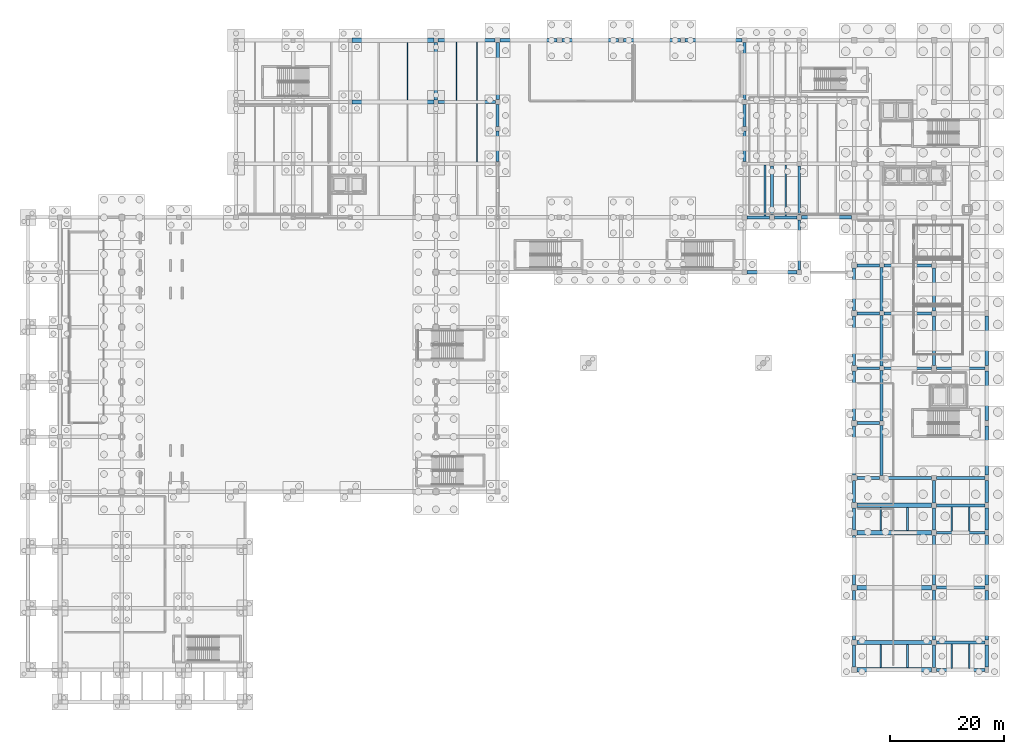
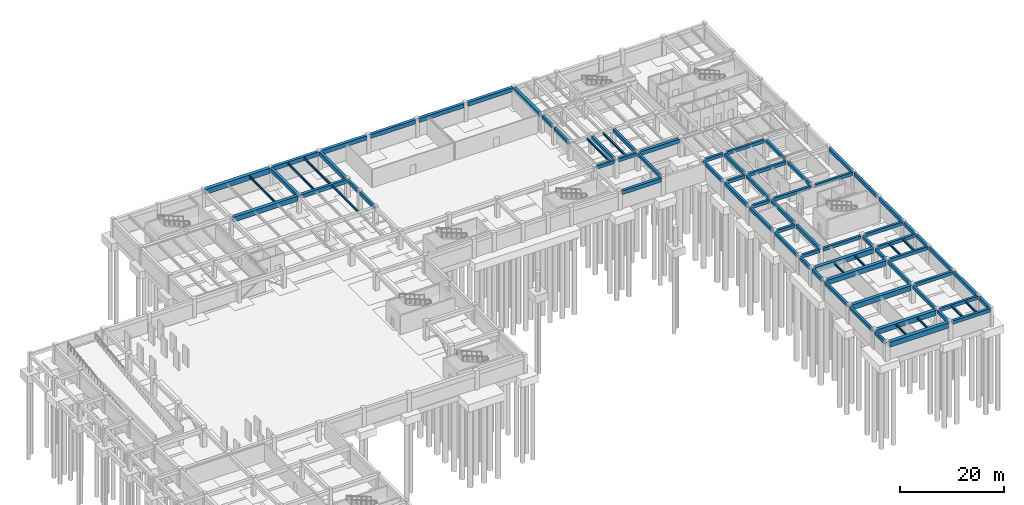
# One storey, part 10 of 33: 85 beams.
"""IFC4 building model written with IfcOpenShell, lengths in metres."""

from ifc_helpers import new_model, si_unit, direction, frame, origin, origin_2d, place, context, subcontext, project, spatial, rectangle, i_section, extrude, material, material_profile, profile_set, type_object, element, save


model = new_model("IFC4")

# Units and contexts
model_context = context("Model", 3, precision=1e-05, world=origin(), true_north=direction((0.0, 1.0)))
body_context = subcontext(model_context, "Body", "Model", "MODEL_VIEW")
ifc_project = project(units=[si_unit("LENGTHUNIT", "METRE"), si_unit("AREAUNIT", "SQUARE_METRE"), si_unit("VOLUMEUNIT", "CUBIC_METRE"), si_unit("PLANEANGLEUNIT", "RADIAN"), si_unit("MASSUNIT", "GRAM", prefix="KILO")], contexts=[model_context])

# Site, building, storey
site_placement = place(None, origin())
site = spatial("IfcSite", under=ifc_project, at=site_placement, CompositionType="ELEMENT")
building_placement = place(site_placement, origin())
building = spatial("IfcBuilding", under=site, at=building_placement, Name="Veldera Park Congress Hotel", CompositionType="ELEMENT")
storey_placement = place(building_placement, frame((0.0, 0.0, -4.5)))
storey = spatial("IfcBuildingStorey", under=building, at=storey_placement, Name="B1", CompositionType="ELEMENT", Elevation=-4.5)

# Beams
ifc_material_1 = material(Name="Concrete f'c 40 MPa (5,800 psi)", Category="concrete")
ifc_material_profile_1 = material_profile(ifc_material_1, rectangle(XDim=0.75, YDim=1.14990234375, at=origin_2d()), Name="RC 750x1150")
ifc_profile_set_1 = profile_set([ifc_material_profile_1], Name="Concrete f'c 40 MPa (5,800 psi)")
beam_type_1 = type_object("IfcBeamType", Name="BM-RC1150", PredefinedType="BEAM", material=ifc_profile_set_1)
for number, where, z_axis, x_axis, name in (
    (1, (61.27490234375, -47.39990234375, 3.625), (1.0, 0.0, 0.0), (0.0, 1.0, 0.0), "B1 Girder BM-RC1150 10"),
    (2, (61.27490234375, -37.800048828125, 3.625), (1.0, 0.0, 0.0), (0.0, 1.0, 0.0), "B1 Girder BM-RC1150 16"),
    (3, (61.27490234375, -28.199951171875, 3.625), (1.0, 0.0, 0.0), (0.0, 1.0, 0.0), "B1 Girder BM-RC1150 22"),
    (4, (61.27490234375, -23.39990234375, 3.625), (1.0, 0.0, 0.0), (0.0, 1.0, 0.0), "B1 Girder BM-RC1150 24"),
):
    element("IfcBeam", number, at=place(storey_placement, frame(where, z_axis=z_axis, x_axis=x_axis)), inside=storey, type_object=beam_type_1, Name=name, PredefinedType="BEAM", context=body_context, shape_type="SweptSolid", body=[
        extrude(rectangle(XDim=0.75, YDim=1.14990234375, at=origin_2d()), origin(), (0.0, 0.0, 1.0), 13.0751953125),
    ])
beam_1_placement = place(storey_placement, frame((-27.074951171875, 47.199951171875, 3.625), z_axis=(1.0, 0.0, 0.0), x_axis=(0.0, 1.0, 0.0)))
element("IfcBeam", 5, at=beam_1_placement, inside=storey, type_object=beam_type_1, Name="B1 Girder BM-RC1150 92", PredefinedType="BEAM", context=body_context, shape_type="SweptSolid", body=[
    extrude(rectangle(XDim=0.75, YDim=1.14990234375, at=origin_2d()), origin(), (0.0, 0.0, 1.0), 14.324951171875),
])
ifc_material_profile_2 = material_profile(ifc_material_1, rectangle(XDim=0.800048828125, YDim=1.199951171875, at=origin_2d()), Name="RC 800x1200")
ifc_profile_set_2 = profile_set([ifc_material_profile_2], Name="Concrete f'c 40 MPa (5,800 psi)")
beam_type_2 = type_object("IfcBeamType", Name="BM-RC1150E", PredefinedType="BEAM", material=ifc_profile_set_2)
beam_2_placement = place(storey_placement, frame((61.27490234375, -52.199951171875, 3.60009765625), z_axis=(1.0, 0.0, 0.0), x_axis=(0.0, 1.0, 0.0)))
element("IfcBeam", 6, at=beam_2_placement, inside=storey, type_object=beam_type_2, Name="B1 Girder BM-RC1150E 8", PredefinedType="BEAM", context=body_context, shape_type="SweptSolid", body=[
    extrude(rectangle(XDim=0.800048828125, YDim=1.199951171875, at=origin_2d()), origin(), (0.0, 0.0, 1.0), 13.0751953125),
])
beam_3_placement = place(storey_placement, frame((-27.050048828125, 58.0, 3.60009765625), z_axis=(1.0, 0.0, 0.0), x_axis=(0.0, 1.0, 0.0)))
element("IfcBeam", 7, at=beam_3_placement, inside=storey, type_object=beam_type_2, Name="B1 Girder BM-RC1150E 100", PredefinedType="BEAM", context=body_context, shape_type="SweptSolid", body=[
    extrude(rectangle(XDim=0.800048828125, YDim=1.199951171875, at=origin_2d()), origin(), (0.0, 0.0, 1.0), 14.300048828125),
])
ifc_material_profile_3 = material_profile(ifc_material_1, rectangle(XDim=0.5, YDim=0.75, at=origin_2d()), Name="RC 500x750")
ifc_profile_set_3 = profile_set([ifc_material_profile_3], Name="Concrete f'c 40 MPa (5,800 psi)")
beam_type_3 = type_object("IfcBeamType", Name="BM-RC750", PredefinedType="BEAM", material=ifc_profile_set_3)
for number, where, z_axis, x_axis, name in (
    (8, (75.25, -47.39990234375, 3.824951171875), (1.0, 0.0, 0.0), (0.0, 1.0, 0.0), "B1 Girder BM-RC750 11"),
    (9, (75.25, -37.800048828125, 3.824951171875), (1.0, 0.0, 0.0), (0.0, 1.0, 0.0), "B1 Girder BM-RC750 17"),
    (10, (75.25, -28.199951171875, 3.824951171875), (1.0, 0.0, 0.0), (0.0, 1.0, 0.0), "B1 Girder BM-RC750 23"),
    (11, (75.25, -23.39990234375, 3.824951171875), (1.0, 0.0, 0.0), (0.0, 1.0, 0.0), "B1 Girder BM-RC750 25"),
):
    element("IfcBeam", number, at=place(storey_placement, frame(where, z_axis=z_axis, x_axis=x_axis)), inside=storey, type_object=beam_type_3, Name=name, PredefinedType="BEAM", context=body_context, shape_type="SweptSolid", body=[
        extrude(rectangle(XDim=0.5, YDim=0.75, at=origin_2d()), origin(), (0.0, 0.0, 1.0), 8.425048828125),
    ])
beam_4_placement = place(storey_placement, frame((61.27490234375, -18.60009765625, 3.824951171875), z_axis=(1.0, 0.0, 0.0), x_axis=(0.0, 1.0, 0.0)))
element("IfcBeam", 12, at=beam_4_placement, inside=storey, type_object=beam_type_3, Name="B1 Girder BM-RC750 34", PredefinedType="BEAM", context=body_context, shape_type="SweptSolid", body=[
    extrude(rectangle(XDim=0.5, YDim=0.75, at=origin_2d()), origin(), (0.0, 0.0, 1.0), 3.925048828125),
])
beam_5_placement = place(storey_placement, frame((66.0, -18.60009765625, 3.824951171875), z_axis=(1.0, 0.0, 0.0), x_axis=(0.0, 1.0, 0.0)))
element("IfcBeam", 13, at=beam_5_placement, inside=storey, type_object=beam_type_3, Name="B1 Girder BM-RC750 35", PredefinedType="BEAM", context=body_context, shape_type="SweptSolid", body=[
    extrude(rectangle(XDim=0.5, YDim=0.75, at=origin_2d()), origin(), (0.0, 0.0, 1.0), 8.35009765625),
])
beam_6_placement = place(storey_placement, frame((75.25, -18.60009765625, 3.824951171875), z_axis=(1.0, 0.0, 0.0), x_axis=(0.0, 1.0, 0.0)))
element("IfcBeam", 14, at=beam_6_placement, inside=storey, type_object=beam_type_3, Name="B1 Girder BM-RC750 36", PredefinedType="BEAM", context=body_context, shape_type="SweptSolid", body=[
    extrude(rectangle(XDim=0.5, YDim=0.75, at=origin_2d()), origin(), (0.0, 0.0, 1.0), 8.425048828125),
])
for number, where, z_axis, x_axis, name in (
    (15, (61.27490234375, -9.0, 3.824951171875), (1.0, 0.0, 0.0), (0.0, 1.0, 0.0), "B1 Girder BM-RC750 40"),
    (16, (61.27490234375, 0.60009765625, 3.824951171875), (1.0, 0.0, 0.0), (0.0, 1.0, 0.0), "B1 Girder BM-RC750 43"),
):
    element("IfcBeam", number, at=place(storey_placement, frame(where, z_axis=z_axis, x_axis=x_axis)), inside=storey, type_object=beam_type_3, Name=name, PredefinedType="BEAM", context=body_context, shape_type="SweptSolid", body=[
        extrude(rectangle(XDim=0.5, YDim=0.75, at=origin_2d()), origin(), (0.0, 0.0, 1.0), 3.925048828125),
    ])
beam_7_placement = place(storey_placement, frame((66.0, 0.60009765625, 3.824951171875), z_axis=(1.0, 0.0, 0.0), x_axis=(0.0, 1.0, 0.0)))
element("IfcBeam", 17, at=beam_7_placement, inside=storey, type_object=beam_type_3, Name="B1 Girder BM-RC750 44", PredefinedType="BEAM", context=body_context, shape_type="SweptSolid", body=[
    extrude(rectangle(XDim=0.5, YDim=0.75, at=origin_2d()), origin(), (0.0, 0.0, 1.0), 8.35009765625),
])
beam_8_placement = place(storey_placement, frame((75.25, 0.60009765625, 3.824951171875), z_axis=(1.0, 0.0, 0.0), x_axis=(0.0, 1.0, 0.0)))
element("IfcBeam", 18, at=beam_8_placement, inside=storey, type_object=beam_type_3, Name="B1 Girder BM-RC750 45", PredefinedType="BEAM", context=body_context, shape_type="SweptSolid", body=[
    extrude(rectangle(XDim=0.5, YDim=0.75, at=origin_2d()), origin(), (0.0, 0.0, 1.0), 8.425048828125),
])
beam_9_placement = place(storey_placement, frame((61.27490234375, 10.199951171875, 3.824951171875), z_axis=(1.0, 0.0, 0.0), x_axis=(0.0, 1.0, 0.0)))
element("IfcBeam", 19, at=beam_9_placement, inside=storey, type_object=beam_type_3, Name="B1 Girder BM-RC750 48", PredefinedType="BEAM", context=body_context, shape_type="SweptSolid", body=[
    extrude(rectangle(XDim=0.5, YDim=0.75, at=origin_2d()), origin(), (0.0, 0.0, 1.0), 3.925048828125),
])
beam_10_placement = place(storey_placement, frame((66.0, 10.199951171875, 3.824951171875), z_axis=(1.0, 0.0, 0.0), x_axis=(0.0, 1.0, 0.0)))
element("IfcBeam", 20, at=beam_10_placement, inside=storey, type_object=beam_type_3, Name="B1 Girder BM-RC750 49", PredefinedType="BEAM", context=body_context, shape_type="SweptSolid", body=[
    extrude(rectangle(XDim=0.5, YDim=0.75, at=origin_2d()), origin(), (0.0, 0.0, 1.0), 8.35009765625),
])
beam_11_placement = place(storey_placement, frame((61.27490234375, 18.60009765625, 3.824951171875), z_axis=(1.0, 0.0, 0.0), x_axis=(0.0, 1.0, 0.0)))
element("IfcBeam", 21, at=beam_11_placement, inside=storey, type_object=beam_type_3, Name="B1 Girder BM-RC750 60", PredefinedType="BEAM", context=body_context, shape_type="SweptSolid", body=[
    extrude(rectangle(XDim=0.5, YDim=0.75, at=origin_2d()), origin(), (0.0, 0.0, 1.0), 3.925048828125),
])
beam_12_placement = place(storey_placement, frame((66.0, 18.60009765625, 3.824951171875), z_axis=(1.0, 0.0, 0.0), x_axis=(0.0, 1.0, 0.0)))
element("IfcBeam", 22, at=beam_12_placement, inside=storey, type_object=beam_type_3, Name="B1 Girder BM-RC750 61", PredefinedType="BEAM", context=body_context, shape_type="SweptSolid", body=[
    extrude(rectangle(XDim=0.5, YDim=0.75, at=origin_2d()), origin(), (0.0, 0.0, 1.0), 8.35009765625),
])
beam_13_placement = place(storey_placement, frame((42.02490234375, 27.0, 3.824951171875), z_axis=(1.0, 0.0, 0.0), x_axis=(0.0, 1.0, 0.0)))
element("IfcBeam", 23, at=beam_13_placement, inside=storey, type_object=beam_type_3, Name="B1 Girder BM-RC750 74", PredefinedType="BEAM", context=body_context, shape_type="SweptSolid", body=[
    extrude(rectangle(XDim=0.5, YDim=0.75, at=origin_2d()), origin(), (0.0, 0.0, 1.0), 3.9501953125),
])
beam_14_placement = place(storey_placement, frame((46.824951171875, 27.0, 3.824951171875), z_axis=(1.0, 0.0, 0.0), x_axis=(0.0, 1.0, 0.0)))
element("IfcBeam", 24, at=beam_14_placement, inside=storey, type_object=beam_type_3, Name="B1 Girder BM-RC750 75", PredefinedType="BEAM", context=body_context, shape_type="SweptSolid", body=[
    extrude(rectangle(XDim=0.5, YDim=0.75, at=origin_2d()), origin(), (0.0, 0.0, 1.0), 3.949951171875),
])
beam_15_placement = place(storey_placement, frame((-1.60009765625, 36.800048828125, 3.824951171875), z_axis=(0.0, 1.0, 0.0), x_axis=(-1.0, 0.0, 0.0)))
element("IfcBeam", 25, at=beam_15_placement, inside=storey, type_object=beam_type_3, Name="B1 Girder BM-RC750 162", PredefinedType="BEAM", context=body_context, shape_type="SweptSolid", body=[
    extrude(rectangle(XDim=0.5, YDim=0.75, at=origin_2d()), origin(), (0.0, 0.0, 1.0), 5.300048828125),
])
beam_16_placement = place(storey_placement, frame((-1.60009765625, 42.89990234375, 3.824951171875), z_axis=(0.0, 1.0, 0.0), x_axis=(-1.0, 0.0, 0.0)))
element("IfcBeam", 26, at=beam_16_placement, inside=storey, type_object=beam_type_3, Name="B1 Girder BM-RC750 163", PredefinedType="BEAM", context=body_context, shape_type="SweptSolid", body=[
    extrude(rectangle(XDim=0.5, YDim=0.75, at=origin_2d()), origin(), (0.0, 0.0, 1.0), 3.900146484375),
])
beam_17_placement = place(storey_placement, frame((41.60009765625, 36.800048828125, 3.824951171875), z_axis=(0.0, 1.0, 0.0), x_axis=(-1.0, 0.0, 0.0)))
element("IfcBeam", 27, at=beam_17_placement, inside=storey, type_object=beam_type_3, Name="B1 Girder BM-RC750 168", PredefinedType="BEAM", context=body_context, shape_type="SweptSolid", body=[
    extrude(rectangle(XDim=0.5, YDim=0.75, at=origin_2d()), origin(), (0.0, 0.0, 1.0), 5.300048828125),
])
beam_18_placement = place(storey_placement, frame((41.60009765625, 42.89990234375, 3.824951171875), z_axis=(0.0, 1.0, 0.0), x_axis=(-1.0, 0.0, 0.0)))
element("IfcBeam", 28, at=beam_18_placement, inside=storey, type_object=beam_type_3, Name="B1 Girder BM-RC750 169", PredefinedType="BEAM", context=body_context, shape_type="SweptSolid", body=[
    extrude(rectangle(XDim=0.5, YDim=0.75, at=origin_2d()), origin(), (0.0, 0.0, 1.0), 3.900146484375),
])
beam_19_placement = place(storey_placement, frame((46.39990234375, 27.425048828125, 3.824951171875), z_axis=(0.0, 1.0, 0.0), x_axis=(-1.0, 0.0, 0.0)))
element("IfcBeam", 29, at=beam_19_placement, inside=storey, type_object=beam_type_3, Name="B1 Girder BM-RC750 171", PredefinedType="BEAM", context=body_context, shape_type="SweptSolid", body=[
    extrude(rectangle(XDim=0.5, YDim=0.75, at=origin_2d()), origin(), (0.0, 0.0, 1.0), 8.574951171875),
])
beam_20_placement = place(storey_placement, frame((51.199951171875, 17.824951171875, 3.824951171875), z_axis=(0.0, 1.0, 0.0), x_axis=(-1.0, 0.0, 0.0)))
element("IfcBeam", 30, at=beam_20_placement, inside=storey, type_object=beam_type_3, Name="B1 Girder BM-RC750 174", PredefinedType="BEAM", context=body_context, shape_type="SweptSolid", body=[
    extrude(rectangle(XDim=0.5, YDim=0.75, at=origin_2d()), origin(), (0.0, 0.0, 1.0), 8.75),
])
beam_21_placement = place(storey_placement, frame((51.199951171875, 27.425048828125, 3.824951171875), z_axis=(0.0, 1.0, 0.0), x_axis=(-1.0, 0.0, 0.0)))
element("IfcBeam", 31, at=beam_21_placement, inside=storey, type_object=beam_type_3, Name="B1 Girder BM-RC750 175", PredefinedType="BEAM", context=body_context, shape_type="SweptSolid", body=[
    extrude(rectangle(XDim=0.5, YDim=0.75, at=origin_2d()), origin(), (0.0, 0.0, 1.0), 8.574951171875),
])
beam_22_placement = place(storey_placement, frame((60.800048828125, -51.72509765625, 3.824951171875), z_axis=(0.0, 1.0, 0.0), x_axis=(-1.0, 0.0, 0.0)))
element("IfcBeam", 32, at=beam_22_placement, inside=storey, type_object=beam_type_3, Name="B1 Girder BM-RC750 178", PredefinedType="BEAM", context=body_context, shape_type="SweptSolid", body=[
    extrude(rectangle(XDim=0.5, YDim=0.75, at=origin_2d()), origin(), (0.0, 0.0, 1.0), 3.85009765625),
])
beam_23_placement = place(storey_placement, frame((60.800048828125, -46.925048828125, 3.824951171875), z_axis=(0.0, 1.0, 0.0), x_axis=(-1.0, 0.0, 0.0)))
element("IfcBeam", 33, at=beam_23_placement, inside=storey, type_object=beam_type_3, Name="B1 Girder BM-RC750 179", PredefinedType="BEAM", context=body_context, shape_type="SweptSolid", body=[
    extrude(rectangle(XDim=0.5, YDim=0.75, at=origin_2d()), origin(), (0.0, 0.0, 1.0), 8.650146484375),
])
beam_24_placement = place(storey_placement, frame((60.800048828125, -37.324951171875, 3.824951171875), z_axis=(0.0, 1.0, 0.0), x_axis=(-1.0, 0.0, 0.0)))
element("IfcBeam", 34, at=beam_24_placement, inside=storey, type_object=beam_type_3, Name="B1 Girder BM-RC750 180", PredefinedType="BEAM", context=body_context, shape_type="SweptSolid", body=[
    extrude(rectangle(XDim=0.5, YDim=0.75, at=origin_2d()), origin(), (0.0, 0.0, 1.0), 8.64990234375),
])
for number, where, z_axis, x_axis, name in (
    (35, (60.800048828125, -27.72509765625, 3.824951171875), (0.0, 1.0, 0.0), (-1.0, 0.0, 0.0), "B1 Girder BM-RC750 181"),
    (36, (60.800048828125, -22.925048828125, 3.824951171875), (0.0, 1.0, 0.0), (-1.0, 0.0, 0.0), "B1 Girder BM-RC750 182"),
):
    element("IfcBeam", number, at=place(storey_placement, frame(where, z_axis=z_axis, x_axis=x_axis)), inside=storey, type_object=beam_type_3, Name=name, PredefinedType="BEAM", context=body_context, shape_type="SweptSolid", body=[
        extrude(rectangle(XDim=0.5, YDim=0.75, at=origin_2d()), origin(), (0.0, 0.0, 1.0), 3.85009765625),
    ])
for number, where, z_axis, x_axis, name in (
    (37, (60.800048828125, -18.125, 3.824951171875), (0.0, 1.0, 0.0), (-1.0, 0.0, 0.0), "B1 Girder BM-RC750 183"),
    (38, (60.800048828125, -8.52490234375, 3.824951171875), (0.0, 1.0, 0.0), (-1.0, 0.0, 0.0), "B1 Girder BM-RC750 184"),
):
    element("IfcBeam", number, at=place(storey_placement, frame(where, z_axis=z_axis, x_axis=x_axis)), inside=storey, type_object=beam_type_3, Name=name, PredefinedType="BEAM", context=body_context, shape_type="SweptSolid", body=[
        extrude(rectangle(XDim=0.5, YDim=0.75, at=origin_2d()), origin(), (0.0, 0.0, 1.0), 8.64990234375),
    ])
beam_25_placement = place(storey_placement, frame((60.800048828125, 1.074951171875, 3.824951171875), z_axis=(0.0, 1.0, 0.0), x_axis=(-1.0, 0.0, 0.0)))
element("IfcBeam", 39, at=beam_25_placement, inside=storey, type_object=beam_type_3, Name="B1 Girder BM-RC750 185", PredefinedType="BEAM", context=body_context, shape_type="SweptSolid", body=[
    extrude(rectangle(XDim=0.5, YDim=0.75, at=origin_2d()), origin(), (0.0, 0.0, 1.0), 8.650146484375),
])
beam_26_placement = place(storey_placement, frame((60.800048828125, 10.675048828125, 3.824951171875), z_axis=(0.0, 1.0, 0.0), x_axis=(-1.0, 0.0, 0.0)))
element("IfcBeam", 40, at=beam_26_placement, inside=storey, type_object=beam_type_3, Name="B1 Girder BM-RC750 186", PredefinedType="BEAM", context=body_context, shape_type="SweptSolid", body=[
    extrude(rectangle(XDim=0.5, YDim=0.75, at=origin_2d()), origin(), (0.0, 0.0, 1.0), 7.449951171875),
])
for number, where, z_axis, x_axis, name in (
    (41, (65.60009765625, -18.199951171875, 3.824951171875), (0.0, 1.0, 0.0), (-1.0, 0.0, 0.0), "B1 Girder BM-RC750 190"),
    (42, (65.60009765625, -8.60009765625, 3.824951171875), (0.0, 1.0, 0.0), (-1.0, 0.0, 0.0), "B1 Girder BM-RC750 191"),
    (43, (65.60009765625, 1.0, 3.824951171875), (0.0, 1.0, 0.0), (-1.0, 0.0, 0.0), "B1 Girder BM-RC750 192"),
):
    element("IfcBeam", number, at=place(storey_placement, frame(where, z_axis=z_axis, x_axis=x_axis)), inside=storey, type_object=beam_type_3, Name=name, PredefinedType="BEAM", context=body_context, shape_type="SweptSolid", body=[
        extrude(rectangle(XDim=0.5, YDim=0.75, at=origin_2d()), origin(), (0.0, 0.0, 1.0), 8.800048828125),
    ])
beam_27_placement = place(storey_placement, frame((65.60009765625, 10.60009765625, 3.824951171875), z_axis=(0.0, 1.0, 0.0), x_axis=(-1.0, 0.0, 0.0)))
element("IfcBeam", 44, at=beam_27_placement, inside=storey, type_object=beam_type_3, Name="B1 Girder BM-RC750 193", PredefinedType="BEAM", context=body_context, shape_type="SweptSolid", body=[
    extrude(rectangle(XDim=0.5, YDim=0.75, at=origin_2d()), origin(), (0.0, 0.0, 1.0), 7.599853515625),
])
beam_28_placement = place(storey_placement, frame((74.800048828125, -51.75, 3.824951171875), z_axis=(0.0, 1.0, 0.0), x_axis=(-1.0, 0.0, 0.0)))
element("IfcBeam", 45, at=beam_28_placement, inside=storey, type_object=beam_type_3, Name="B1 Girder BM-RC750 196", PredefinedType="BEAM", context=body_context, shape_type="SweptSolid", body=[
    extrude(rectangle(XDim=0.5, YDim=0.75, at=origin_2d()), origin(), (0.0, 0.0, 1.0), 3.89990234375),
])
beam_29_placement = place(storey_placement, frame((74.800048828125, -46.949951171875, 3.824951171875), z_axis=(0.0, 1.0, 0.0), x_axis=(-1.0, 0.0, 0.0)))
element("IfcBeam", 46, at=beam_29_placement, inside=storey, type_object=beam_type_3, Name="B1 Girder BM-RC750 197", PredefinedType="BEAM", context=body_context, shape_type="SweptSolid", body=[
    extrude(rectangle(XDim=0.5, YDim=0.75, at=origin_2d()), origin(), (0.0, 0.0, 1.0), 8.699951171875),
])
beam_30_placement = place(storey_placement, frame((74.800048828125, -37.35009765625, 3.824951171875), z_axis=(0.0, 1.0, 0.0), x_axis=(-1.0, 0.0, 0.0)))
element("IfcBeam", 47, at=beam_30_placement, inside=storey, type_object=beam_type_3, Name="B1 Girder BM-RC750 198", PredefinedType="BEAM", context=body_context, shape_type="SweptSolid", body=[
    extrude(rectangle(XDim=0.5, YDim=0.75, at=origin_2d()), origin(), (0.0, 0.0, 1.0), 8.7001953125),
])
for number, where, z_axis, x_axis, name in (
    (48, (74.800048828125, -27.75, 3.824951171875), (0.0, 1.0, 0.0), (-1.0, 0.0, 0.0), "B1 Girder BM-RC750 199"),
    (49, (74.800048828125, -22.949951171875, 3.824951171875), (0.0, 1.0, 0.0), (-1.0, 0.0, 0.0), "B1 Girder BM-RC750 200"),
):
    element("IfcBeam", number, at=place(storey_placement, frame(where, z_axis=z_axis, x_axis=x_axis)), inside=storey, type_object=beam_type_3, Name=name, PredefinedType="BEAM", context=body_context, shape_type="SweptSolid", body=[
        extrude(rectangle(XDim=0.5, YDim=0.75, at=origin_2d()), origin(), (0.0, 0.0, 1.0), 3.89990234375),
    ])
beam_31_placement = place(storey_placement, frame((74.800048828125, 1.050048828125, 3.824951171875), z_axis=(0.0, 1.0, 0.0), x_axis=(-1.0, 0.0, 0.0)))
element("IfcBeam", 50, at=beam_31_placement, inside=storey, type_object=beam_type_3, Name="B1 Girder BM-RC750 201", PredefinedType="BEAM", context=body_context, shape_type="SweptSolid", body=[
    extrude(rectangle(XDim=0.5, YDim=0.75, at=origin_2d()), origin(), (0.0, 0.0, 1.0), 8.699951171875),
])
beam_32_placement = place(storey_placement, frame((74.800048828125, 10.64990234375, 3.824951171875), z_axis=(0.0, 1.0, 0.0), x_axis=(-1.0, 0.0, 0.0)))
element("IfcBeam", 51, at=beam_32_placement, inside=storey, type_object=beam_type_3, Name="B1 Girder BM-RC750 202", PredefinedType="BEAM", context=body_context, shape_type="SweptSolid", body=[
    extrude(rectangle(XDim=0.5, YDim=0.75, at=origin_2d()), origin(), (0.0, 0.0, 1.0), 7.5),
])
ifc_material_profile_4 = material_profile(ifc_material_1, rectangle(XDim=0.550048828125, YDim=0.800048828125, at=origin_2d()), Name="RC 550x800")
ifc_profile_set_4 = profile_set([ifc_material_profile_4], Name="Concrete f'c 40 MPa (5,800 psi)")
beam_type_4 = type_object("IfcBeamType", Name="BM-RC750E", PredefinedType="BEAM", material=ifc_profile_set_4)
beam_33_placement = place(storey_placement, frame((75.25, -52.199951171875, 3.800048828125), z_axis=(1.0, 0.0, 0.0), x_axis=(0.0, 1.0, 0.0)))
element("IfcBeam", 52, at=beam_33_placement, inside=storey, type_object=beam_type_4, Name="B1 Girder BM-RC750E 9", PredefinedType="BEAM", context=body_context, shape_type="SweptSolid", body=[
    extrude(rectangle(XDim=0.550048828125, YDim=0.800048828125, at=origin_2d()), origin(), (0.0, 0.0, 1.0), 8.425048828125),
])
beam_34_placement = place(storey_placement, frame((84.0, -51.72509765625, 3.800048828125), z_axis=(0.0, 1.0, 0.0), x_axis=(-1.0, 0.0, 0.0)))
element("IfcBeam", 53, at=beam_34_placement, inside=storey, type_object=beam_type_4, Name="B1 Girder BM-RC750E 205", PredefinedType="BEAM", context=body_context, shape_type="SweptSolid", body=[
    extrude(rectangle(XDim=0.550048828125, YDim=0.800048828125, at=origin_2d()), origin(), (0.0, 0.0, 1.0), 3.85009765625),
])
beam_35_placement = place(storey_placement, frame((84.0, -46.925048828125, 3.800048828125), z_axis=(0.0, 1.0, 0.0), x_axis=(-1.0, 0.0, 0.0)))
element("IfcBeam", 54, at=beam_35_placement, inside=storey, type_object=beam_type_4, Name="B1 Girder BM-RC750E 206", PredefinedType="BEAM", context=body_context, shape_type="SweptSolid", body=[
    extrude(rectangle(XDim=0.550048828125, YDim=0.800048828125, at=origin_2d()), origin(), (0.0, 0.0, 1.0), 8.650146484375),
])
beam_36_placement = place(storey_placement, frame((84.0, -37.324951171875, 3.800048828125), z_axis=(0.0, 1.0, 0.0), x_axis=(-1.0, 0.0, 0.0)))
element("IfcBeam", 55, at=beam_36_placement, inside=storey, type_object=beam_type_4, Name="B1 Girder BM-RC750E 207", PredefinedType="BEAM", context=body_context, shape_type="SweptSolid", body=[
    extrude(rectangle(XDim=0.550048828125, YDim=0.800048828125, at=origin_2d()), origin(), (0.0, 0.0, 1.0), 8.64990234375),
])
for number, where, z_axis, x_axis, name in (
    (56, (84.0, -27.72509765625, 3.800048828125), (0.0, 1.0, 0.0), (-1.0, 0.0, 0.0), "B1 Girder BM-RC750E 208"),
    (57, (84.0, -22.925048828125, 3.800048828125), (0.0, 1.0, 0.0), (-1.0, 0.0, 0.0), "B1 Girder BM-RC750E 209"),
):
    element("IfcBeam", number, at=place(storey_placement, frame(where, z_axis=z_axis, x_axis=x_axis)), inside=storey, type_object=beam_type_4, Name=name, PredefinedType="BEAM", context=body_context, shape_type="SweptSolid", body=[
        extrude(rectangle(XDim=0.550048828125, YDim=0.800048828125, at=origin_2d()), origin(), (0.0, 0.0, 1.0), 3.85009765625),
    ])
for number, where, z_axis, x_axis, name in (
    (58, (84.0, -18.125, 3.800048828125), (0.0, 1.0, 0.0), (-1.0, 0.0, 0.0), "B1 Girder BM-RC750E 210"),
    (59, (84.0, -8.52490234375, 3.800048828125), (0.0, 1.0, 0.0), (-1.0, 0.0, 0.0), "B1 Girder BM-RC750E 211"),
):
    element("IfcBeam", number, at=place(storey_placement, frame(where, z_axis=z_axis, x_axis=x_axis)), inside=storey, type_object=beam_type_4, Name=name, PredefinedType="BEAM", context=body_context, shape_type="SweptSolid", body=[
        extrude(rectangle(XDim=0.550048828125, YDim=0.800048828125, at=origin_2d()), origin(), (0.0, 0.0, 1.0), 8.64990234375),
    ])
beam_37_placement = place(storey_placement, frame((84.0, 1.074951171875, 3.800048828125), z_axis=(0.0, 1.0, 0.0), x_axis=(-1.0, 0.0, 0.0)))
element("IfcBeam", 60, at=beam_37_placement, inside=storey, type_object=beam_type_4, Name="B1 Girder BM-RC750E 212", PredefinedType="BEAM", context=body_context, shape_type="SweptSolid", body=[
    extrude(rectangle(XDim=0.550048828125, YDim=0.800048828125, at=origin_2d()), origin(), (0.0, 0.0, 1.0), 8.650146484375),
])
ifc_material_profile_5 = material_profile(ifc_material_1, rectangle(XDim=0.60009765625, YDim=0.89990234375, at=origin_2d()), Name="RC 600x900")
ifc_profile_set_5 = profile_set([ifc_material_profile_5], Name="Concrete f'c 40 MPa (5,800 psi)")
beam_type_5 = type_object("IfcBeamType", Name="BM-RC900", PredefinedType="BEAM", material=ifc_profile_set_5)
beam_38_placement = place(storey_placement, frame((42.02490234375, 17.39990234375, 3.75), z_axis=(1.0, 0.0, 0.0), x_axis=(0.0, 1.0, 0.0)))
element("IfcBeam", 61, at=beam_38_placement, inside=storey, type_object=beam_type_5, Name="B1 Girder BM-RC900 59", PredefinedType="BEAM", context=body_context, shape_type="SweptSolid", body=[
    extrude(rectangle(XDim=0.60009765625, YDim=0.89990234375, at=origin_2d()), origin(), (0.0, 0.0, 1.0), 8.75),
])
beam_39_placement = place(storey_placement, frame((51.625, 27.0, 3.75), z_axis=(1.0, 0.0, 0.0), x_axis=(0.0, 1.0, 0.0)))
element("IfcBeam", 62, at=beam_39_placement, inside=storey, type_object=beam_type_5, Name="B1 Girder BM-RC900 76", PredefinedType="BEAM", context=body_context, shape_type="SweptSolid", body=[
    extrude(rectangle(XDim=0.60009765625, YDim=0.89990234375, at=origin_2d()), origin(), (0.0, 0.0, 1.0), 8.699951171875),
])
beam_40_placement = place(storey_placement, frame((-12.050048828125, 47.199951171875, 3.75), z_axis=(1.0, 0.0, 0.0), x_axis=(0.0, 1.0, 0.0)))
element("IfcBeam", 63, at=beam_40_placement, inside=storey, type_object=beam_type_5, Name="B1 Girder BM-RC900 93", PredefinedType="BEAM", context=body_context, shape_type="SweptSolid", body=[
    extrude(rectangle(XDim=0.60009765625, YDim=0.89990234375, at=origin_2d()), origin(), (0.0, 0.0, 1.0), 10.050048828125),
])
beam_41_placement = place(storey_placement, frame((-12.39990234375, 47.550048828125, 3.75), z_axis=(0.0, 1.0, 0.0), x_axis=(-1.0, 0.0, 0.0)))
element("IfcBeam", 64, at=beam_41_placement, inside=storey, type_object=beam_type_5, Name="B1 Girder BM-RC900 155", PredefinedType="BEAM", context=body_context, shape_type="SweptSolid", body=[
    extrude(rectangle(XDim=0.60009765625, YDim=0.89990234375, at=origin_2d()), origin(), (0.0, 0.0, 1.0), 10.099853515625),
])
for number, where, z_axis, x_axis, name in (
    (65, (-1.60009765625, 47.60009765625, 3.75), (0.0, 1.0, 0.0), (-1.0, 0.0, 0.0), "B1 Girder BM-RC900 164"),
    (66, (41.60009765625, 47.60009765625, 3.75), (0.0, 1.0, 0.0), (-1.0, 0.0, 0.0), "B1 Girder BM-RC900 170"),
):
    element("IfcBeam", number, at=place(storey_placement, frame(where, z_axis=z_axis, x_axis=x_axis)), inside=storey, type_object=beam_type_5, Name=name, PredefinedType="BEAM", context=body_context, shape_type="SweptSolid", body=[
        extrude(rectangle(XDim=0.60009765625, YDim=0.89990234375, at=origin_2d()), origin(), (0.0, 0.0, 1.0), 9.974853515625),
    ])
ifc_material_profile_6 = material_profile(ifc_material_1, rectangle(XDim=0.64990234375, YDim=0.949951171875, at=origin_2d()), Name="RC 650x950")
ifc_profile_set_6 = profile_set([ifc_material_profile_6], Name="Concrete f'c 40 MPa (5,800 psi)")
beam_type_6 = type_object("IfcBeamType", Name="BM-RC900E", PredefinedType="BEAM", material=ifc_profile_set_6)
beam_42_placement = place(storey_placement, frame((-12.050048828125, 58.0, 3.72509765625), z_axis=(1.0, 0.0, 0.0), x_axis=(0.0, 1.0, 0.0)))
element("IfcBeam", 67, at=beam_42_placement, inside=storey, type_object=beam_type_6, Name="B1 Girder BM-RC900E 101", PredefinedType="BEAM", context=body_context, shape_type="SweptSolid", body=[
    extrude(rectangle(XDim=0.64990234375, YDim=0.949951171875, at=origin_2d()), origin(), (0.0, 0.0, 1.0), 10.025146484375),
])
for number, where, z_axis, x_axis, name in (
    (68, (-1.175048828125, 58.0, 3.72509765625), (1.0, 0.0, 0.0), (0.0, 1.0, 0.0), "B1 Girder BM-RC900E 102"),
    (69, (9.625, 58.0, 3.72509765625), (1.0, 0.0, 0.0), (0.0, 1.0, 0.0), "B1 Girder BM-RC900E 103"),
    (70, (20.425048828125, 58.0, 3.72509765625), (1.0, 0.0, 0.0), (0.0, 1.0, 0.0), "B1 Girder BM-RC900E 104"),
    (71, (31.22509765625, 58.0, 3.72509765625), (1.0, 0.0, 0.0), (0.0, 1.0, 0.0), "B1 Girder BM-RC900E 105"),
):
    element("IfcBeam", number, at=place(storey_placement, frame(where, z_axis=z_axis, x_axis=x_axis)), inside=storey, type_object=beam_type_6, Name=name, PredefinedType="BEAM", context=body_context, shape_type="SweptSolid", body=[
        extrude(rectangle(XDim=0.64990234375, YDim=0.949951171875, at=origin_2d()), origin(), (0.0, 0.0, 1.0), 9.949951171875),
    ])
ifc_material_2 = material(Name="Steel ASTM A992 Gr.50", Category="steel")
ifc_material_profile_7 = material_profile(ifc_material_2, i_section(OverallWidth=0.280029296875, OverallDepth=0.462890625, WebThickness=0.0107421875, FlangeThickness=0.017333984375, at=origin_2d()), Name="W18X76")
ifc_profile_set_7 = profile_set([ifc_material_profile_7], Name="Steel ASTM A992 Gr.50")
beam_type_7 = type_object("IfcBeamType", Name="JST-W18B", PredefinedType="JOIST", material=ifc_profile_set_7)
for number, where, z_axis, x_axis, name in (
    (72, (65.466796875, -51.800048828125, 3.968505859375), (0.0, 1.0, 0.0), (-1.0, 0.0, 0.0), "B1 Floor Joist JST-W18B 224"),
    (73, (70.13330078125, -51.800048828125, 3.968505859375), (0.0, 1.0, 0.0), (-1.0, 0.0, 0.0), "B1 Floor Joist JST-W18B 225"),
):
    element("IfcBeam", number, at=place(storey_placement, frame(where, z_axis=z_axis, x_axis=x_axis)), inside=storey, type_object=beam_type_7, Name=name, PredefinedType="JOIST", context=body_context, shape_type="SweptSolid", body=[
        extrude(i_section(OverallWidth=0.280029296875, OverallDepth=0.462890625, WebThickness=0.0107421875, FlangeThickness=0.017333984375, at=origin_2d()), origin(), (0.0, 0.0, 1.0), 4.025146484375),
    ])
for number, where, z_axis, x_axis, name in (
    (74, (77.86669921875, -51.925048828125, 3.968505859375), (0.0, 1.0, 0.0), (-1.0, 0.0, 0.0), "B1 Floor Joist JST-W18B 226"),
    (75, (80.933349609375, -51.925048828125, 3.968505859375), (0.0, 1.0, 0.0), (-1.0, 0.0, 0.0), "B1 Floor Joist JST-W18B 227"),
):
    element("IfcBeam", number, at=place(storey_placement, frame(where, z_axis=z_axis, x_axis=x_axis)), inside=storey, type_object=beam_type_7, Name=name, PredefinedType="JOIST", context=body_context, shape_type="SweptSolid", body=[
        extrude(i_section(OverallWidth=0.280029296875, OverallDepth=0.462890625, WebThickness=0.0107421875, FlangeThickness=0.017333984375, at=origin_2d()), origin(), (0.0, 0.0, 1.0), 4.275146484375),
    ])
for number, where, z_axis, x_axis, name in (
    (76, (65.466796875, -27.824951171875, 3.968505859375), (0.0, 1.0, 0.0), (-1.0, 0.0, 0.0), "B1 Floor Joist JST-W18B 228"),
    (77, (70.13330078125, -27.824951171875, 3.968505859375), (0.0, 1.0, 0.0), (-1.0, 0.0, 0.0), "B1 Floor Joist JST-W18B 229"),
):
    element("IfcBeam", number, at=place(storey_placement, frame(where, z_axis=z_axis, x_axis=x_axis)), inside=storey, type_object=beam_type_7, Name=name, PredefinedType="JOIST", context=body_context, shape_type="SweptSolid", body=[
        extrude(i_section(OverallWidth=0.280029296875, OverallDepth=0.462890625, WebThickness=0.0107421875, FlangeThickness=0.017333984375, at=origin_2d()), origin(), (0.0, 0.0, 1.0), 4.050048828125),
    ])
for number, where, z_axis, x_axis, name in (
    (78, (77.86669921875, -27.949951171875, 3.968505859375), (0.0, 1.0, 0.0), (-1.0, 0.0, 0.0), "B1 Floor Joist JST-W18B 230"),
    (79, (80.933349609375, -27.949951171875, 3.968505859375), (0.0, 1.0, 0.0), (-1.0, 0.0, 0.0), "B1 Floor Joist JST-W18B 231"),
):
    element("IfcBeam", number, at=place(storey_placement, frame(where, z_axis=z_axis, x_axis=x_axis)), inside=storey, type_object=beam_type_7, Name=name, PredefinedType="JOIST", context=body_context, shape_type="SweptSolid", body=[
        extrude(i_section(OverallWidth=0.280029296875, OverallDepth=0.462890625, WebThickness=0.0107421875, FlangeThickness=0.017333984375, at=origin_2d()), origin(), (0.0, 0.0, 1.0), 4.300048828125),
    ])
for number, where, z_axis, x_axis, name in (
    (80, (45.199951171875, 27.25, 3.968505859375), (0.0, 1.0, 0.0), (-1.0, 0.0, 0.0), "B1 Floor Joist JST-W18B 245"),
    (81, (48.800048828125, 27.25, 3.968505859375), (0.0, 1.0, 0.0), (-1.0, 0.0, 0.0), "B1 Floor Joist JST-W18B 246"),
):
    element("IfcBeam", number, at=place(storey_placement, frame(where, z_axis=z_axis, x_axis=x_axis)), inside=storey, type_object=beam_type_7, Name=name, PredefinedType="JOIST", context=body_context, shape_type="SweptSolid", body=[
        extrude(i_section(OverallWidth=0.280029296875, OverallDepth=0.462890625, WebThickness=0.0107421875, FlangeThickness=0.017333984375, at=origin_2d()), origin(), (0.0, 0.0, 1.0), 8.89990234375),
    ])
ifc_material_profile_8 = material_profile(ifc_material_2, i_section(OverallWidth=0.2099609375, OverallDepth=0.537109375, WebThickness=0.010986328125, FlangeThickness=0.017333984375, at=origin_2d()), Name="W21X68")
ifc_profile_set_8 = profile_set([ifc_material_profile_8], Name="Steel ASTM A992 Gr.50")
beam_type_8 = type_object("IfcBeamType", Name="JST-W21", PredefinedType="JOIST", material=ifc_profile_set_8)
beam_43_placement = place(storey_placement, frame((-5.199951171875, 36.699951171875, 3.931396484375), z_axis=(0.0, 1.0, 0.0), x_axis=(-1.0, 0.0, 0.0)))
element("IfcBeam", 82, at=beam_43_placement, inside=storey, type_object=beam_type_8, Name="B1 Floor Joist JST-W21 259", PredefinedType="JOIST", context=body_context, shape_type="SweptSolid", body=[
    extrude(i_section(OverallWidth=0.2099609375, OverallDepth=0.537109375, WebThickness=0.010986328125, FlangeThickness=0.017333984375, at=origin_2d()), origin(), (0.0, 0.0, 1.0), 10.199951171875),
])
beam_44_placement = place(storey_placement, frame((-17.39990234375, 47.574951171875, 3.931396484375), z_axis=(0.0, 1.0, 0.0), x_axis=(-1.0, 0.0, 0.0)))
element("IfcBeam", 83, at=beam_44_placement, inside=storey, type_object=beam_type_8, Name="B1 Floor Joist JST-W21 267", PredefinedType="JOIST", context=body_context, shape_type="SweptSolid", body=[
    extrude(i_section(OverallWidth=0.2099609375, OverallDepth=0.537109375, WebThickness=0.010986328125, FlangeThickness=0.017333984375, at=origin_2d()), origin(), (0.0, 0.0, 1.0), 10.025146484375),
])
for number, where, z_axis, x_axis, name in (
    (84, (-8.800048828125, 47.5, 3.931396484375), (0.0, 1.0, 0.0), (-1.0, 0.0, 0.0), "B1 Floor Joist JST-W21 268"),
    (85, (-5.199951171875, 47.5, 3.931396484375), (0.0, 1.0, 0.0), (-1.0, 0.0, 0.0), "B1 Floor Joist JST-W21 269"),
):
    element("IfcBeam", number, at=place(storey_placement, frame(where, z_axis=z_axis, x_axis=x_axis)), inside=storey, type_object=beam_type_8, Name=name, PredefinedType="JOIST", context=body_context, shape_type="SweptSolid", body=[
        extrude(i_section(OverallWidth=0.2099609375, OverallDepth=0.537109375, WebThickness=0.010986328125, FlangeThickness=0.017333984375, at=origin_2d()), origin(), (0.0, 0.0, 1.0), 10.175048828125),
    ])

save(model, "model.ifc")
